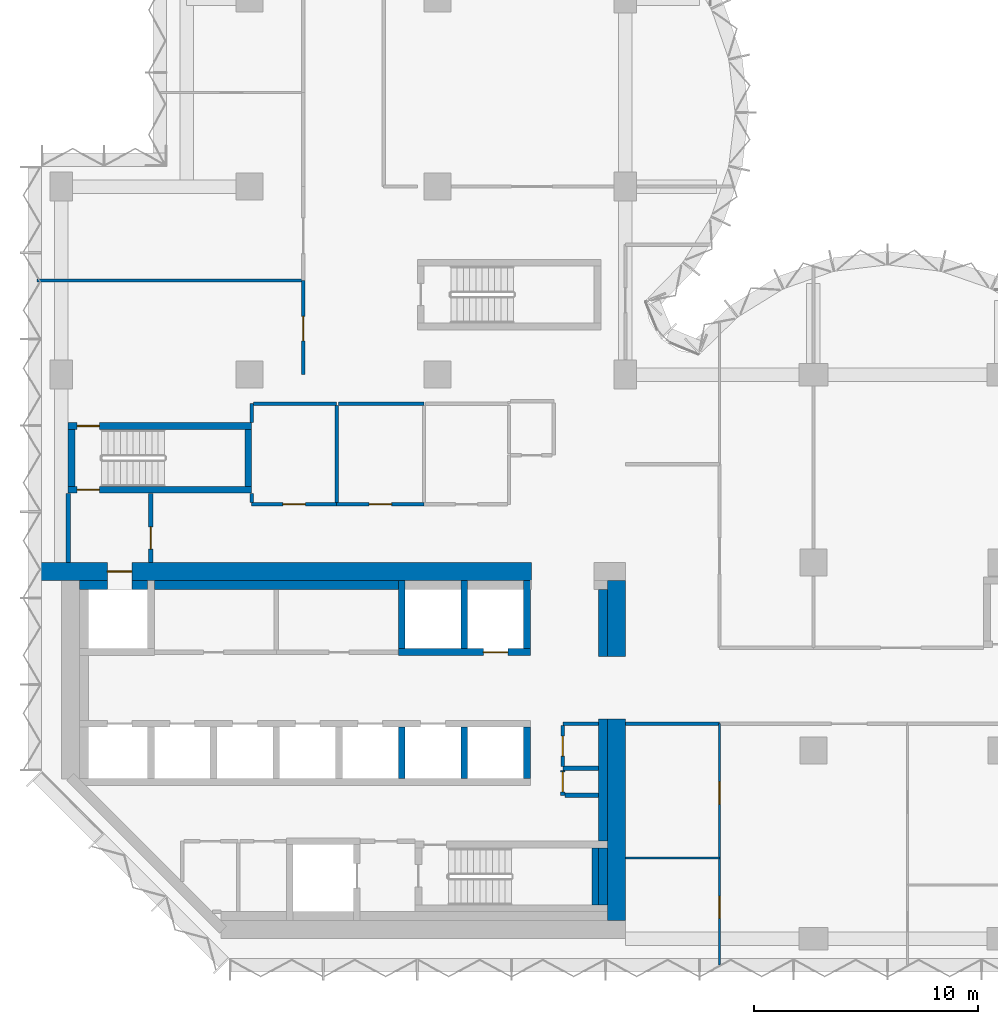
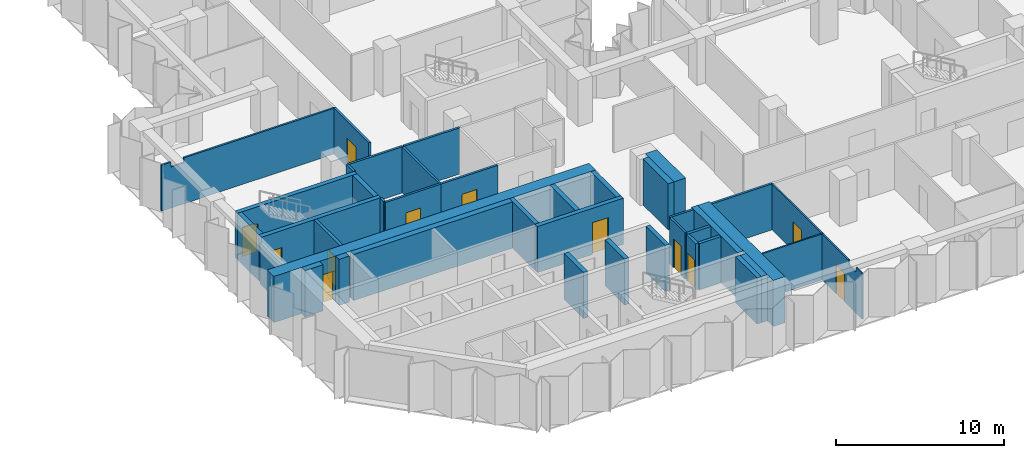
# One storey, part 6 of 11: 41 walls, 12 doors, 12 openings.
"""IFC4 building model written with IfcOpenShell, lengths in metres."""

from ifc_helpers import new_model, si_unit, direction, frame, frame_2d, origin, place, context, subcontext, project, spatial, polyline, rectangle, outline, extrude, material, layer, layer_set, type_object, element, fill, save


model = new_model("IFC4")

# Units and contexts
model_context = context("Model", 3, precision=1e-05, world=origin(), true_north=direction((0.0, 1.0)))
body_context = subcontext(model_context, "Body", "Model", "MODEL_VIEW")
ifc_project = project(units=[si_unit("LENGTHUNIT", "METRE"), si_unit("AREAUNIT", "SQUARE_METRE"), si_unit("VOLUMEUNIT", "CUBIC_METRE"), si_unit("PLANEANGLEUNIT", "RADIAN"), si_unit("MASSUNIT", "GRAM", prefix="KILO")], contexts=[model_context])

# Site, building, storey
site_placement = place(None, origin())
site = spatial("IfcSite", under=ifc_project, at=site_placement, CompositionType="ELEMENT")
building_placement = place(site_placement, origin())
building = spatial("IfcBuilding", under=site, at=building_placement, Name="Brevane Broadcast Tower", CompositionType="ELEMENT")
storey_placement = place(building_placement, frame((0.0, 0.0, 142.10009765625)))
storey = spatial("IfcBuildingStorey", under=building, at=storey_placement, Name="L35", CompositionType="ELEMENT", Elevation=142.10009765625)

# Walls
ifc_material_1 = material(Name="Concrete C32/40", Category="concrete")
ifc_layer_1 = layer(ifc_material_1, 0.39990234375)
ifc_layer_set_1 = layer_set([ifc_layer_1], Name="Core chase wall 400 mm")
wall_type_1 = type_object("IfcWallType", Name="Core chase wall 400 mm", PredefinedType="PARTITIONING", material=ifc_layer_set_1)
wall_1_placement = place(storey_placement, frame((24.199951171875, 12.60009765625, 0.0), z_axis=(0.0, 0.0, 1.0), x_axis=(0.0, 1.0, 0.0)))
element("IfcWall", 1, at=wall_1_placement, inside=storey, type_object=wall_type_1, Name="L35 chase wall LE2", PredefinedType="PARTITIONING", context=body_context, shape_type="SweptSolid", body=[
    extrude(rectangle(XDim=3.0, YDim=0.39990234375, at=frame_2d((1.5, 0.0))), origin(), (0.0, 0.0, 1.0), 3.349853515625),
])
wall_2_placement = place(storey_placement, frame((0.800048828125, 15.800048828125, 0.0), z_axis=(0.0, 0.0, 1.0), x_axis=(1.0, 0.0, 0.0)))
element("IfcWall", 2, at=wall_2_placement, inside=storey, type_object=wall_type_1, Name="L35 chase wall LN0", PredefinedType="PARTITIONING", context=body_context, shape_type="SweptSolid", body=[
    extrude(rectangle(XDim=1.25, YDim=0.39990234375, at=frame_2d((0.625, 0.0))), origin(), (0.0, 0.0, 1.0), 3.349853515625),
])
wall_3_placement = place(storey_placement, frame((3.14990234375, 15.800048828125, 0.0), z_axis=(0.0, 0.0, 1.0), x_axis=(1.0, 0.0, 0.0)))
element("IfcWall", 3, at=wall_3_placement, inside=storey, type_object=wall_type_1, Name="L35 chase wall LN1-1", PredefinedType="PARTITIONING", context=body_context, shape_type="SweptSolid", body=[
    extrude(rectangle(XDim=0.7001953125, YDim=0.39990234375, at=frame_2d((0.35009765625, 0.0))), origin(), (0.0, 0.0, 1.0), 3.349853515625),
])
wall_4_placement = place(storey_placement, frame((4.14990234375, 15.800048828125, 0.0), z_axis=(0.0, 0.0, 1.0), x_axis=(1.0, 0.0, 0.0)))
element("IfcWall", 4, at=wall_4_placement, inside=storey, type_object=wall_type_1, Name="L35 chase wall LN1-2-1", PredefinedType="PARTITIONING", context=body_context, shape_type="SweptSolid", body=[
    extrude(rectangle(XDim=10.900146484375, YDim=0.39990234375, at=frame_2d((5.4501953125, 0.0))), origin(), (0.0, 0.0, 1.0), 3.349853515625),
])
wall_5_placement = place(storey_placement, frame((24.199951171875, 1.5, 0.0), z_axis=(0.0, 0.0, 1.0), x_axis=(0.0, 1.0, 0.0)))
element("IfcWall", 5, at=wall_5_placement, inside=storey, type_object=wall_type_1, Name="L35 chase wall LE1-2-1", PredefinedType="PARTITIONING", context=body_context, shape_type="SweptSolid", body=[
    extrude(rectangle(XDim=2.550048828125, YDim=0.39990234375, at=frame_2d((1.27490234375, 0.0))), origin(), (0.0, 0.0, 1.0), 3.349853515625),
])
wall_6_placement = place(storey_placement, frame((24.199951171875, 4.35009765625, 0.0), z_axis=(0.0, 0.0, 1.0), x_axis=(0.0, 1.0, 0.0)))
element("IfcWall", 6, at=wall_6_placement, inside=storey, type_object=wall_type_1, Name="L35 chase wall LE1-2-2", PredefinedType="PARTITIONING", context=body_context, shape_type="SweptSolid", body=[
    extrude(rectangle(XDim=5.449951171875, YDim=0.39990234375, at=frame_2d((2.72509765625, 0.0))), origin(), (0.0, 0.0, 1.0), 3.349853515625),
])

# Wall, opening, door
ifc_material_2 = material(Name="Gypsum board on steel studs", Category="steel")
ifc_layer_2 = layer(ifc_material_2, 0.14990234375)
ifc_layer_set_2 = layer_set([ifc_layer_2], Name="Core fire partition 150 mm")
wall_type_2 = type_object("IfcWallType", Name="Core fire partition 150 mm", PredefinedType="PARTITIONING", material=ifc_layer_set_2)
wall_7_placement = place(storey_placement, frame((12.300048828125, 19.39990234375, 0.0), z_axis=(0.0, 0.0, 1.0), x_axis=(-1.0, 0.0, 0.0)))
wall_7 = element("IfcWall", 7, at=wall_7_placement, inside=storey, type_object=wall_type_2, Name="L35 partition wall P15", PredefinedType="PARTITIONING", context=body_context, shape_type="SweptSolid", body=[
    extrude(rectangle(XDim=3.800048828125, YDim=0.14990234375, at=frame_2d((1.89990234375, 0.0))), origin(), (0.0, 0.0, 1.0), 3.349853515625),
])
opening_1_placement = place(wall_7_placement, frame((1.39990234375, 0.0, 0.0)))
opening_1 = element("IfcOpeningElement", 8, at=opening_1_placement, cuts=wall_7, Name="Opening L35-K25", PredefinedType="OPENING", context=body_context, shape_type="SweptSolid", body=[
    extrude(rectangle(XDim=1.0, YDim=2.10009765625, at=frame_2d((0.5, 1.050048828125))), frame((0.0, 0.0849609375, 0.0), z_axis=(0.0, -1.0, 0.0), x_axis=(1.0, 0.0, 0.0)), (0.0, 0.0, 1.0), 0.169921875),
])
ifc_material_3 = material(Name="Steel", Category="steel")
door_type_1 = type_object("IfcDoorType", Name="Service room door 1000 x 2100", OperationType="SINGLE_SWING_LEFT", PredefinedType="DOOR", material=ifc_material_3)
door_1_placement = place(opening_1_placement, origin())
door_1 = element("IfcDoor", 9, at=door_1_placement, inside=storey, type_object=door_type_1, Name="Door L35-K25", OperationType="SINGLE_SWING_LEFT", OverallHeight=2.10009765625, OverallWidth=1.0, PredefinedType="DOOR", context=body_context, shape_type="SweptSolid", body=[
    extrude(rectangle(XDim=1.0, YDim=2.10009765625, at=frame_2d((0.5, 1.050048828125))), frame((0.0, 0.02490234375, 0.0), z_axis=(0.0, -1.0, 0.0), x_axis=(1.0, 0.0, 0.0)), (0.0, 0.0, 1.0), 0.050048828125),
])
fill(opening_1, door_1)

# Walls
wall_8_placement = place(storey_placement, frame((8.5, 19.47509765625, 0.0), z_axis=(0.0, 0.0, 1.0), x_axis=(0.0, 1.0, 0.0)))
element("IfcWall", 10, at=wall_8_placement, inside=storey, type_object=wall_type_2, Name="L35 partition wall P16", PredefinedType="PARTITIONING", context=body_context, shape_type="SweptSolid", body=[
    extrude(rectangle(XDim=0.412841796875, YDim=0.14990234375, at=frame_2d((0.20654296875, 0.0))), origin(), (0.0, 0.0, 1.0), 3.349853515625),
])
wall_9_placement = place(storey_placement, frame((8.5, 23.06201171875, 0.0), z_axis=(0.0, 0.0, 1.0), x_axis=(0.0, 1.0, 0.0)))
element("IfcWall", 11, at=wall_9_placement, inside=storey, type_object=wall_type_2, Name="L35 partition wall P17", PredefinedType="PARTITIONING", context=body_context, shape_type="SweptSolid", body=[
    extrude(rectangle(XDim=0.837890625, YDim=0.14990234375, at=frame_2d((0.4189453125, 0.0))), origin(), (0.0, 0.0, 1.0), 3.349853515625),
])
wall_10_placement = place(storey_placement, frame((8.574951171875, 23.89990234375, 0.0), z_axis=(0.0, 0.0, 1.0), x_axis=(1.0, 0.0, 0.0)))
element("IfcWall", 12, at=wall_10_placement, inside=storey, type_object=wall_type_2, Name="L35 partition wall P18", PredefinedType="PARTITIONING", context=body_context, shape_type="SweptSolid", body=[
    extrude(rectangle(XDim=3.72509765625, YDim=0.14990234375, at=frame_2d((1.862548828125, 0.0))), origin(), (0.0, 0.0, 1.0), 3.349853515625),
])

# Wall, opening, door
wall_11_placement = place(storey_placement, frame((16.199951171875, 19.39990234375, 0.0), z_axis=(0.0, 0.0, 1.0), x_axis=(-1.0, 0.0, 0.0)))
wall_11 = element("IfcWall", 13, at=wall_11_placement, inside=storey, type_object=wall_type_2, Name="L35 partition wall P19", PredefinedType="PARTITIONING", context=body_context, shape_type="SweptSolid", body=[
    extrude(rectangle(XDim=3.89990234375, YDim=0.14990234375, at=frame_2d((1.949951171875, 0.0))), origin(), (0.0, 0.0, 1.0), 3.349853515625),
])
opening_2_placement = place(wall_11_placement, frame((1.449951171875, 0.0, 0.0)))
opening_2 = element("IfcOpeningElement", 14, at=opening_2_placement, cuts=wall_11, Name="Opening L35-K26", PredefinedType="OPENING", context=body_context, shape_type="SweptSolid", body=[
    extrude(rectangle(XDim=1.0, YDim=2.10009765625, at=frame_2d((0.5, 1.050048828125))), frame((0.0, 0.0849609375, 0.0), z_axis=(0.0, -1.0, 0.0), x_axis=(1.0, 0.0, 0.0)), (0.0, 0.0, 1.0), 0.169921875),
])
door_2_placement = place(opening_2_placement, origin())
door_2 = element("IfcDoor", 15, at=door_2_placement, inside=storey, type_object=door_type_1, Name="Door L35-K26", OperationType="SINGLE_SWING_RIGHT", OverallHeight=2.10009765625, OverallWidth=1.0, PredefinedType="DOOR", context=body_context, shape_type="SweptSolid", body=[
    extrude(rectangle(XDim=1.0, YDim=2.10009765625, at=frame_2d((0.5, 1.050048828125))), frame((0.0, 0.02490234375, 0.0), z_axis=(0.0, -1.0, 0.0), x_axis=(1.0, 0.0, 0.0)), (0.0, 0.0, 1.0), 0.050048828125),
])
fill(opening_2, door_2)

# Walls
wall_12_placement = place(storey_placement, frame((12.300048828125, 23.824951171875, 0.0), z_axis=(0.0, 0.0, 1.0), x_axis=(0.0, -1.0, 0.0)))
element("IfcWall", 16, at=wall_12_placement, inside=storey, type_object=wall_type_2, Name="L35 partition wall P20", PredefinedType="PARTITIONING", context=body_context, shape_type="SweptSolid", body=[
    extrude(rectangle(XDim=4.349853515625, YDim=0.14990234375, at=frame_2d((2.1748046875, 0.0))), origin(), (0.0, 0.0, 1.0), 3.349853515625),
])
wall_13_placement = place(storey_placement, frame((12.375, 23.89990234375, 0.0), z_axis=(0.0, 0.0, 1.0), x_axis=(1.0, 0.0, 0.0)))
element("IfcWall", 17, at=wall_13_placement, inside=storey, type_object=wall_type_2, Name="L35 partition wall P21", PredefinedType="PARTITIONING", context=body_context, shape_type="SweptSolid", body=[
    extrude(rectangle(XDim=3.824951171875, YDim=0.14990234375, at=frame_2d((1.91259765625, 0.0))), origin(), (0.0, 0.0, 1.0), 3.349853515625),
])
wall_14_placement = place(storey_placement, frame((23.988037109375, 9.60009765625, 0.0), z_axis=(0.0, 0.0, 1.0), x_axis=(-1.0, 0.0, 0.0)))
element("IfcWall", 18, at=wall_14_placement, inside=storey, type_object=wall_type_2, Name="L35 partition wall P31", PredefinedType="PARTITIONING", context=body_context, shape_type="SweptSolid", body=[
    extrude(rectangle(XDim=1.588134765625, YDim=0.14990234375, at=frame_2d((0.7939453125, 0.0))), origin(), (0.0, 0.0, 1.0), 3.349853515625),
])

# Wall, opening, door
wall_15_placement = place(storey_placement, frame((22.39990234375, 9.52490234375, 0.0), z_axis=(0.0, 0.0, 1.0), x_axis=(0.0, -1.0, 0.0)))
wall_15 = element("IfcWall", 19, at=wall_15_placement, inside=storey, type_object=wall_type_2, Name="L35 partition wall P32", PredefinedType="PARTITIONING", context=body_context, shape_type="SweptSolid", body=[
    extrude(rectangle(XDim=1.824951171875, YDim=0.14990234375, at=frame_2d((0.91259765625, 0.0))), origin(), (0.0, 0.0, 1.0), 3.349853515625),
])
opening_3_placement = place(wall_15_placement, frame((0.47509765625, 0.0, 0.0)))
opening_3 = element("IfcOpeningElement", 20, at=opening_3_placement, cuts=wall_15, Name="Opening L35-K20", PredefinedType="OPENING", context=body_context, shape_type="SweptSolid", body=[
    extrude(rectangle(XDim=0.89990234375, YDim=2.10009765625, at=frame_2d((0.449951171875, 1.050048828125))), frame((0.0, 0.0849609375, 0.0), z_axis=(0.0, -1.0, 0.0), x_axis=(1.0, 0.0, 0.0)), (0.0, 0.0, 1.0), 0.169921875),
])
door_type_2 = type_object("IfcDoorType", Name="Service room door 900 x 2100", OperationType="SINGLE_SWING_LEFT", PredefinedType="DOOR", material=ifc_material_3)
door_3_placement = place(opening_3_placement, origin())
door_3 = element("IfcDoor", 21, at=door_3_placement, inside=storey, type_object=door_type_2, Name="Door L35-K20", OperationType="SINGLE_SWING_RIGHT", OverallHeight=2.10009765625, OverallWidth=0.89990234375, PredefinedType="DOOR", context=body_context, shape_type="SweptSolid", body=[
    extrude(rectangle(XDim=0.89990234375, YDim=2.10009765625, at=frame_2d((0.449951171875, 1.050048828125))), frame((0.0, 0.02490234375, 0.0), z_axis=(0.0, -1.0, 0.0), x_axis=(1.0, 0.0, 0.0)), (0.0, 0.0, 1.0), 0.050048828125),
])
fill(opening_3, door_3)

# Wall
ifc_layer_3 = layer(ifc_material_2, 0.199951171875)
ifc_layer_set_3 = layer_set([ifc_layer_3], Name="Core fire partition 200 mm")
wall_type_3 = type_object("IfcWallType", Name="Core fire partition 200 mm", PredefinedType="PARTITIONING", material=ifc_layer_set_3)
wall_16_placement = place(storey_placement, frame((0.300048828125, 16.81201171875, 0.0), z_axis=(0.0, 0.0, 1.0), x_axis=(0.0, 1.0, 0.0)))
element("IfcWall", 22, at=wall_16_placement, inside=storey, type_object=wall_type_3, Name="L35 partition wall P01", PredefinedType="PARTITIONING", context=body_context, shape_type="SweptSolid", body=[
    extrude(rectangle(XDim=3.075927734375, YDim=0.199951171875, at=frame_2d((1.5380859375, 0.0))), origin(), (0.0, 0.0, 1.0), 2.97998046875),
])

# Wall, opening, door
wall_17_placement = place(storey_placement, frame((4.0, 19.887939453125, 0.0), z_axis=(0.0, 0.0, 1.0), x_axis=(0.0, -1.0, 0.0)))
wall_17 = element("IfcWall", 23, at=wall_17_placement, inside=storey, type_object=wall_type_3, Name="L35 partition wall P02", PredefinedType="PARTITIONING", context=body_context, shape_type="SweptSolid", body=[
    extrude(rectangle(XDim=3.075927734375, YDim=0.199951171875, at=frame_2d((1.5380859375, 0.0))), origin(), (0.0, 0.0, 1.0), 3.349853515625),
])
opening_4_placement = place(wall_17_placement, frame((1.488037109375, 0.0, 0.0)))
opening_4 = element("IfcOpeningElement", 24, at=opening_4_placement, cuts=wall_17, Name="Opening L35-K23", PredefinedType="OPENING", context=body_context, shape_type="SweptSolid", body=[
    extrude(rectangle(XDim=1.0, YDim=2.10009765625, at=frame_2d((0.5, 1.050048828125))), frame((0.0, 0.10986328125, 0.0), z_axis=(0.0, -1.0, 0.0), x_axis=(1.0, 0.0, 0.0)), (0.0, 0.0, 1.0), 0.219970703125),
])
door_type_3 = type_object("IfcDoorType", Name="Stair door 1000 x 2100", OperationType="SINGLE_SWING_LEFT", PredefinedType="DOOR", material=ifc_material_3)
door_4_placement = place(opening_4_placement, origin())
door_4 = element("IfcDoor", 25, at=door_4_placement, inside=storey, type_object=door_type_3, Name="Door L35-K23", OperationType="SINGLE_SWING_LEFT", OverallHeight=2.10009765625, OverallWidth=1.0, PredefinedType="DOOR", context=body_context, shape_type="SweptSolid", body=[
    extrude(rectangle(XDim=1.0, YDim=2.10009765625, at=frame_2d((0.5, 1.050048828125))), frame((0.0, 0.02490234375, 0.0), z_axis=(0.0, -1.0, 0.0), x_axis=(1.0, 0.0, 0.0)), (0.0, 0.0, 1.0), 0.050048828125),
])
fill(opening_4, door_4)

# Wall
wall_18_placement = place(storey_placement, frame((23.988037109375, 7.60009765625, 0.0), z_axis=(0.0, 0.0, 1.0), x_axis=(-1.0, 0.0, 0.0)))
element("IfcWall", 26, at=wall_18_placement, inside=storey, type_object=wall_type_3, Name="L35 partition wall P07", PredefinedType="PARTITIONING", context=body_context, shape_type="SweptSolid", body=[
    extrude(rectangle(XDim=1.588134765625, YDim=0.199951171875, at=frame_2d((0.7939453125, 0.0))), origin(), (0.0, 0.0, 1.0), 3.349853515625),
])

# Wall, opening, door
wall_19_placement = place(storey_placement, frame((22.39990234375, 7.5, 0.0), z_axis=(0.0, 0.0, 1.0), x_axis=(0.0, -1.0, 0.0)))
wall_19 = element("IfcWall", 27, at=wall_19_placement, inside=storey, type_object=wall_type_3, Name="L35 partition wall P08", PredefinedType="PARTITIONING", context=body_context, shape_type="SweptSolid", body=[
    extrude(rectangle(XDim=1.10009765625, YDim=0.199951171875, at=frame_2d((0.550048828125, 0.0))), origin(), (0.0, 0.0, 1.0), 3.349853515625),
])
opening_5_placement = place(wall_19_placement, frame((0.050048828125, 0.0, 0.0)))
opening_5 = element("IfcOpeningElement", 28, at=opening_5_placement, cuts=wall_19, Name="Opening L35-K19", PredefinedType="OPENING", context=body_context, shape_type="SweptSolid", body=[
    extrude(rectangle(XDim=0.89990234375, YDim=2.10009765625, at=frame_2d((0.449951171875, 1.050048828125))), frame((0.0, 0.10986328125, 0.0), z_axis=(0.0, -1.0, 0.0), x_axis=(1.0, 0.0, 0.0)), (0.0, 0.0, 1.0), 0.219970703125),
])
door_5_placement = place(opening_5_placement, origin())
door_5 = element("IfcDoor", 29, at=door_5_placement, inside=storey, type_object=door_type_2, Name="Door L35-K19", OperationType="SINGLE_SWING_LEFT", OverallHeight=2.10009765625, OverallWidth=0.89990234375, PredefinedType="DOOR", context=body_context, shape_type="SweptSolid", body=[
    extrude(rectangle(XDim=0.89990234375, YDim=2.10009765625, at=frame_2d((0.449951171875, 1.050048828125))), frame((0.0, 0.02490234375, 0.0), z_axis=(0.0, -1.0, 0.0), x_axis=(1.0, 0.0, 0.0)), (0.0, 0.0, 1.0), 0.050048828125),
])
fill(opening_5, door_5)

# Walls
wall_20_placement = place(storey_placement, frame((22.5, 6.39990234375, 0.0), z_axis=(0.0, 0.0, 1.0), x_axis=(1.0, 0.0, 0.0)))
element("IfcWall", 30, at=wall_20_placement, inside=storey, type_object=wall_type_3, Name="L35 partition wall P09", PredefinedType="PARTITIONING", context=body_context, shape_type="SweptSolid", body=[
    extrude(rectangle(XDim=1.488037109375, YDim=0.199951171875, at=frame_2d((0.744140625, 0.0))), origin(), (0.0, 0.0, 1.0), 3.349853515625),
])
ifc_material_4 = material(Name="Concrete C60/75", Category="concrete")
ifc_layer_4 = layer(ifc_material_4, 0.300048828125)
ifc_layer_set_4 = layer_set([ifc_layer_4], Name="Core wall 300 mm C60/75")
wall_type_4 = type_object("IfcWallType", Name="Core wall 300 mm C60/75", PredefinedType="SHEAR", material=ifc_layer_set_4)
for number, where, z_axis, x_axis, name in (
    (31, (15.199951171875, 7.14990234375, 0.0), (0.0, 0.0, 1.0), (0.0, 1.0, 0.0), "L35 shaft wall SH-S-P152"),
    (32, (18.0, 7.14990234375, 0.0), (0.0, 0.0, 1.0), (0.0, 1.0, 0.0), "L35 shaft wall SH-S-P180"),
    (33, (20.800048828125, 7.14990234375, 0.0), (0.0, 0.0, 1.0), (0.0, 1.0, 0.0), "L35 shaft wall SH-S-P208"),
):
    element("IfcWall", number, at=place(storey_placement, frame(where, z_axis=z_axis, x_axis=x_axis)), inside=storey, type_object=wall_type_4, Name=name, PredefinedType="SHEAR", context=body_context, shape_type="SweptSolid", body=[
        extrude(rectangle(XDim=2.300048828125, YDim=0.300048828125, at=frame_2d((1.14990234375, 0.0))), origin(), (0.0, 0.0, 1.0), 3.349853515625),
    ])

# Wall, opening, door
wall_21_placement = place(storey_placement, frame((15.050048828125, 12.800048828125, 0.0), z_axis=(0.0, 0.0, 1.0), x_axis=(1.0, 0.0, 0.0)))
wall_21 = element("IfcWall", 34, at=wall_21_placement, inside=storey, type_object=wall_type_4, Name="L35 shaft wall SH-N152-front", PredefinedType="SHEAR", context=body_context, shape_type="SweptSolid", body=[
    extrude(rectangle(XDim=5.89990234375, YDim=0.300048828125, at=frame_2d((2.949951171875, 0.0))), origin(), (0.0, 0.0, 1.0), 3.349853515625),
])
opening_6_placement = place(wall_21_placement, frame((3.800048828125, 0.0, 0.0)))
opening_6 = element("IfcOpeningElement", 35, at=opening_6_placement, cuts=wall_21, Name="Opening LD", PredefinedType="OPENING", context=body_context, shape_type="SweptSolid", body=[
    extrude(rectangle(XDim=1.10009765625, YDim=2.300048828125, at=frame_2d((0.550048828125, 1.14990234375))), frame((0.0, 0.159912109375, 0.0), z_axis=(0.0, -1.0, 0.0), x_axis=(1.0, 0.0, 0.0)), (0.0, 0.0, 1.0), 0.320068359375),
])
ifc_material_5 = material(Name="Stainless steel", Category="steel")
door_type_4 = type_object("IfcDoorType", Name="Lift landing door", OperationType="SLIDING_TO_LEFT", PredefinedType="DOOR", material=ifc_material_5)
door_6_placement = place(opening_6_placement, origin())
door_6 = element("IfcDoor", 36, at=door_6_placement, inside=storey, type_object=door_type_4, Name="Landing door SL1 L35", OperationType="SLIDING_TO_LEFT", OverallHeight=2.300048828125, OverallWidth=1.10009765625, PredefinedType="DOOR", context=body_context, shape_type="SweptSolid", body=[
    extrude(rectangle(XDim=1.10009765625, YDim=2.300048828125, at=frame_2d((0.550048828125, 1.14990234375))), frame((0.0, 0.02490234375, 0.0), z_axis=(0.0, -1.0, 0.0), x_axis=(1.0, 0.0, 0.0)), (0.0, 0.0, 1.0), 0.050048828125),
])
fill(opening_6, door_6)

# Walls
for number, where, z_axis, x_axis, name in (
    (37, (15.199951171875, 12.949951171875, 0.0), (0.0, 0.0, 1.0), (0.0, 1.0, 0.0), "L35 shaft wall SH-N-P152"),
    (38, (18.0, 12.949951171875, 0.0), (0.0, 0.0, 1.0), (0.0, 1.0, 0.0), "L35 shaft wall SH-N-P180"),
    (39, (20.800048828125, 12.949951171875, 0.0), (0.0, 0.0, 1.0), (0.0, 1.0, 0.0), "L35 shaft wall SH-N-P208"),
):
    element("IfcWall", number, at=place(storey_placement, frame(where, z_axis=z_axis, x_axis=x_axis)), inside=storey, type_object=wall_type_4, Name=name, PredefinedType="SHEAR", context=body_context, shape_type="SweptSolid", body=[
        extrude(rectangle(XDim=3.050048828125, YDim=0.300048828125, at=frame_2d((1.52490234375, 0.0))), origin(), (0.0, 0.0, 1.0), 3.349853515625),
    ])

# Wall, opening, door
wall_22_placement = place(storey_placement, frame((8.5, 20.050048828125, 0.0), z_axis=(0.0, 0.0, 1.0), x_axis=(-1.0, 0.0, 0.0)))
wall_22 = element("IfcWall", 40, at=wall_22_placement, inside=storey, type_object=wall_type_4, Name="L35 stair wall ST-1-S", PredefinedType="SHEAR", context=body_context, shape_type="SweptSolid", body=[
    extrude(rectangle(XDim=8.199951171875, YDim=0.300048828125, at=frame_2d((4.10009765625, 0.0))), origin(), (0.0, 0.0, 1.0), 3.349853515625),
])
opening_7_placement = place(wall_22_placement, frame((6.800048828125, 0.0, 0.0)))
opening_7 = element("IfcOpeningElement", 41, at=opening_7_placement, cuts=wall_22, Name="Opening L35-K10", PredefinedType="OPENING", context=body_context, shape_type="SweptSolid", body=[
    extrude(rectangle(XDim=1.0, YDim=2.10009765625, at=frame_2d((0.5, 1.050048828125))), frame((0.0, 0.159912109375, 0.0), z_axis=(0.0, -1.0, 0.0), x_axis=(1.0, 0.0, 0.0)), (0.0, 0.0, 1.0), 0.320068359375),
])
door_7_placement = place(opening_7_placement, origin())
door_7 = element("IfcDoor", 42, at=door_7_placement, inside=storey, type_object=door_type_3, Name="Door L35-K10", OperationType="SINGLE_SWING_RIGHT", OverallHeight=2.10009765625, OverallWidth=1.0, PredefinedType="DOOR", context=body_context, shape_type="SweptSolid", body=[
    extrude(rectangle(XDim=1.0, YDim=2.10009765625, at=frame_2d((0.5, 1.050048828125))), frame((0.0, 0.02490234375, 0.0), z_axis=(0.0, -1.0, 0.0), x_axis=(1.0, 0.0, 0.0)), (0.0, 0.0, 1.0), 0.050048828125),
])
fill(opening_7, door_7)

wall_23_placement = place(storey_placement, frame((0.300048828125, 22.89990234375, 0.0), z_axis=(0.0, 0.0, 1.0), x_axis=(1.0, 0.0, 0.0)))
wall_23 = element("IfcWall", 43, at=wall_23_placement, inside=storey, type_object=wall_type_4, Name="L35 stair wall ST-1-N", PredefinedType="SHEAR", context=body_context, shape_type="SweptSolid", body=[
    extrude(rectangle(XDim=8.199951171875, YDim=0.300048828125, at=frame_2d((4.10009765625, 0.0))), origin(), (0.0, 0.0, 1.0), 3.349853515625),
])
opening_8_placement = place(wall_23_placement, frame((0.39990234375, 0.0, 0.0)))
opening_8 = element("IfcOpeningElement", 44, at=opening_8_placement, cuts=wall_23, Name="Opening L35-K11", PredefinedType="OPENING", context=body_context, shape_type="SweptSolid", body=[
    extrude(rectangle(XDim=1.0, YDim=2.10009765625, at=frame_2d((0.5, 1.050048828125))), frame((0.0, 0.159912109375, 0.0), z_axis=(0.0, -1.0, 0.0), x_axis=(1.0, 0.0, 0.0)), (0.0, 0.0, 1.0), 0.320068359375),
])
door_8_placement = place(opening_8_placement, origin())
door_8 = element("IfcDoor", 45, at=door_8_placement, inside=storey, type_object=door_type_3, Name="Door L35-K11", OperationType="SINGLE_SWING_LEFT", OverallHeight=2.10009765625, OverallWidth=1.0, PredefinedType="DOOR", context=body_context, shape_type="SweptSolid", body=[
    extrude(rectangle(XDim=1.0, YDim=2.10009765625, at=frame_2d((0.5, 1.050048828125))), frame((0.0, 0.02490234375, 0.0), z_axis=(0.0, -1.0, 0.0), x_axis=(1.0, 0.0, 0.0)), (0.0, 0.0, 1.0), 0.050048828125),
])
fill(opening_8, door_8)

# Walls
for number, where, z_axis, x_axis, name in (
    (46, (0.449951171875, 20.199951171875, 0.0), (0.0, 0.0, 1.0), (0.0, 1.0, 0.0), "L35 stair wall ST-1-W"),
    (47, (8.35009765625, 20.199951171875, 0.0), (0.0, 0.0, 1.0), (0.0, 1.0, 0.0), "L35 stair wall ST-1-E"),
    (48, (23.85009765625, 1.5, 0.0), (0.0, 0.0, 1.0), (0.0, 1.0, 0.0), "L35 stair wall ST-2-E"),
):
    element("IfcWall", number, at=place(storey_placement, frame(where, z_axis=z_axis, x_axis=x_axis)), inside=storey, type_object=wall_type_4, Name=name, PredefinedType="SHEAR", context=body_context, shape_type="SweptSolid", body=[
        extrude(rectangle(XDim=2.550048828125, YDim=0.300048828125, at=frame_2d((1.27490234375, 0.0))), origin(), (0.0, 0.0, 1.0), 3.349853515625),
    ])

# Wall, opening, door
ifc_layer_5 = layer(ifc_material_4, 0.800048828125)
ifc_layer_set_5 = layer_set([ifc_layer_5], Name="Core wall 800 mm C60/75")
wall_type_5 = type_object("IfcWallType", Name="Core wall 800 mm C60/75", PredefinedType="SHEAR", material=ifc_layer_set_5)
wall_24_placement = place(storey_placement, frame((-1.10009765625, 16.39990234375, 0.0), z_axis=(0.0, 0.0, 1.0), x_axis=(1.0, 0.0, 0.0)))
wall_24 = element("IfcWall", 49, at=wall_24_placement, inside=storey, type_object=wall_type_5, Name="L35 outer wall WN1", PredefinedType="SHEAR", context=body_context, shape_type="SweptSolid", body=[
    extrude(rectangle(XDim=22.10009765625, YDim=0.800048828125, at=frame_2d((11.050048828125, 0.0))), origin(), (0.0, 0.0, 1.0), 3.349853515625),
])
opening_9_placement = place(wall_24_placement, frame((3.14990234375, 0.0, 0.0)))
opening_9 = element("IfcOpeningElement", 50, at=opening_9_placement, cuts=wall_24, Name="Opening LD", PredefinedType="OPENING", context=body_context, shape_type="SweptSolid", body=[
    extrude(rectangle(XDim=1.10009765625, YDim=2.300048828125, at=frame_2d((0.550048828125, 1.14990234375))), frame((0.0, 0.409912109375, 0.0), z_axis=(0.0, -1.0, 0.0), x_axis=(1.0, 0.0, 0.0)), (0.0, 0.0, 1.0), 0.820068359375),
])
door_9_placement = place(opening_9_placement, origin())
door_9 = element("IfcDoor", 51, at=door_9_placement, inside=storey, type_object=door_type_4, Name="Landing door FF1 L35", OperationType="SLIDING_TO_LEFT", OverallHeight=2.300048828125, OverallWidth=1.10009765625, PredefinedType="DOOR", context=body_context, shape_type="SweptSolid", body=[
    extrude(rectangle(XDim=1.10009765625, YDim=2.300048828125, at=frame_2d((0.550048828125, 1.14990234375))), frame((0.0, 0.02490234375, 0.0), z_axis=(0.0, -1.0, 0.0), x_axis=(1.0, 0.0, 0.0)), (0.0, 0.0, 1.0), 0.050048828125),
])
fill(opening_9, door_9)

# Walls
wall_25_placement = place(storey_placement, frame((24.800048828125, 0.800048828125, 0.0), z_axis=(0.0, 0.0, 1.0), x_axis=(0.0, 1.0, 0.0)))
element("IfcWall", 52, at=wall_25_placement, inside=storey, type_object=wall_type_5, Name="L35 outer wall WE1", PredefinedType="SHEAR", context=body_context, shape_type="SweptSolid", body=[
    extrude(rectangle(XDim=9.0, YDim=0.800048828125, at=frame_2d((4.5, 0.0))), origin(), (0.0, 0.0, 1.0), 3.349853515625),
])
wall_26_placement = place(storey_placement, frame((24.800048828125, 12.60009765625, 0.0), z_axis=(0.0, 0.0, 1.0), x_axis=(0.0, 1.0, 0.0)))
element("IfcWall", 53, at=wall_26_placement, inside=storey, type_object=wall_type_5, Name="L35 outer wall WE2", PredefinedType="SHEAR", context=body_context, shape_type="SweptSolid", body=[
    extrude(rectangle(XDim=3.39990234375, YDim=0.800048828125, at=frame_2d((1.699951171875, 0.0))), origin(), (0.0, 0.0, 1.0), 3.349853515625),
])

# Wall, opening, door
ifc_material_6 = material(Name="Gypsum board partition")
ifc_layer_6 = layer(ifc_material_6, 0.10009765625)
ifc_layer_set_6 = layer_set([ifc_layer_6], Name="PARTITION 100 STUD")
wall_type_6 = type_object("IfcWallType", Name="PARTITION 100 STUD", PredefinedType="PARTITIONING", material=ifc_layer_set_6)
wall_27_placement = place(storey_placement, frame((29.39990234375, -1.174072265625, 0.0), z_axis=(0.0, 0.0, 1.0), x_axis=(0.0, 1.0, 0.0)))
wall_27 = element("IfcWall", 54, at=wall_27_placement, inside=storey, type_object=wall_type_6, Name="Partition G10-023", PredefinedType="PARTITIONING", context=body_context, shape_type="SweptSolid", body=[
    extrude(outline(polyline([(0.0, 0.0), (4.774169921875, 0.0), (4.77392578125, 3.329833984375), (1.6240234375, 3.329833984375), (1.6220703125, 2.97998046875), (0.72607421875, 2.97998046875), (0.72412109375, 3.329833984375), (0.073974609375, 3.329833984375), (0.0, 3.329833984375), (0.0, 0.0)])), frame((0.0, 0.050048828125, 0.0), z_axis=(0.0, -1.0, 0.0), x_axis=(1.0, 0.0, 0.0)), (0.0, 0.0, 1.0), 0.10009765625),
])
opening_10_placement = place(wall_27_placement, frame((2.073974609375, 0.0, 0.0)))
opening_10 = element("IfcOpeningElement", 55, at=opening_10_placement, cuts=wall_27, Name="Opening D17-006", PredefinedType="OPENING", context=body_context, shape_type="SweptSolid", body=[
    extrude(rectangle(XDim=1.0, YDim=2.10009765625, at=frame_2d((0.5, 1.050048828125))), frame((0.0, 0.06005859375, 0.0), z_axis=(0.0, -1.0, 0.0), x_axis=(1.0, 0.0, 0.0)), (0.0, 0.0, 1.0), 0.1201171875),
])
ifc_material_7 = material(Name="Timber door leaf", Category="wood")
door_type_5 = type_object("IfcDoorType", Name="DOOR SINGLE 1000 INTERNAL", OperationType="SINGLE_SWING_LEFT", PredefinedType="DOOR", material=ifc_material_7)
door_10_placement = place(opening_10_placement, origin())
door_10 = element("IfcDoor", 56, at=door_10_placement, inside=storey, type_object=door_type_5, Name="Door D17-006", OperationType="SINGLE_SWING_LEFT", OverallHeight=2.10009765625, OverallWidth=1.0, PredefinedType="DOOR", context=body_context, shape_type="SweptSolid", body=[
    extrude(rectangle(XDim=1.0, YDim=2.10009765625, at=frame_2d((0.5, 1.050048828125))), frame((0.0, 0.02490234375, 0.0), z_axis=(0.0, -1.0, 0.0), x_axis=(1.0, 0.0, 0.0)), (0.0, 0.0, 1.0), 0.050048828125),
])
fill(opening_10, door_10)

wall_28_placement = place(storey_placement, frame((29.39990234375, 3.60009765625, 0.0), z_axis=(0.0, 0.0, 1.0), x_axis=(0.0, 1.0, 0.0)))
wall_28 = element("IfcWall", 57, at=wall_28_placement, inside=storey, type_object=wall_type_6, Name="Partition G10-024", PredefinedType="PARTITIONING", context=body_context, shape_type="SweptSolid", body=[
    extrude(rectangle(XDim=6.0, YDim=0.10009765625, at=frame_2d((3.0, 0.0))), origin(), (0.0, 0.0, 1.0), 3.329833984375),
])
opening_11_placement = place(wall_28_placement, frame((2.39990234375, 0.0, 0.0)))
opening_11 = element("IfcOpeningElement", 58, at=opening_11_placement, cuts=wall_28, Name="Opening D17-007", PredefinedType="OPENING", context=body_context, shape_type="SweptSolid", body=[
    extrude(rectangle(XDim=1.0, YDim=2.10009765625, at=frame_2d((0.5, 1.050048828125))), frame((0.0, 0.06005859375, 0.0), z_axis=(0.0, -1.0, 0.0), x_axis=(1.0, 0.0, 0.0)), (0.0, 0.0, 1.0), 0.1201171875),
])
door_11_placement = place(opening_11_placement, origin())
door_11 = element("IfcDoor", 59, at=door_11_placement, inside=storey, type_object=door_type_5, Name="Door D17-007", OperationType="SINGLE_SWING_LEFT", OverallHeight=2.10009765625, OverallWidth=1.0, PredefinedType="DOOR", context=body_context, shape_type="SweptSolid", body=[
    extrude(rectangle(XDim=1.0, YDim=2.10009765625, at=frame_2d((0.5, 1.050048828125))), frame((0.0, 0.02490234375, 0.0), z_axis=(0.0, -1.0, 0.0), x_axis=(1.0, 0.0, 0.0)), (0.0, 0.0, 1.0), 0.050048828125),
])
fill(opening_11, door_11)

# Walls
wall_29_placement = place(storey_placement, frame((25.199951171875, 3.60009765625, 0.0), z_axis=(0.0, 0.0, 1.0), x_axis=(1.0, 0.0, 0.0)))
element("IfcWall", 60, at=wall_29_placement, inside=storey, type_object=wall_type_6, Name="Partition G10-030", PredefinedType="PARTITIONING", context=body_context, shape_type="SweptSolid", body=[
    extrude(rectangle(XDim=4.199951171875, YDim=0.10009765625, at=frame_2d((2.10009765625, 0.0))), origin(), (0.0, 0.0, 1.0), 3.329833984375),
])
ifc_layer_7 = layer(ifc_material_6, 0.125)
ifc_layer_set_7 = layer_set([ifc_layer_7], Name="PARTITION 125 ACOUSTIC")
wall_type_7 = type_object("IfcWallType", Name="PARTITION 125 ACOUSTIC", PredefinedType="PARTITIONING", material=ifc_layer_set_7)
wall_30_placement = place(storey_placement, frame((-1.10009765625, 29.39990234375, 0.0), z_axis=(0.0, 0.0, 1.0), x_axis=(1.0, 0.0, 0.0)))
element("IfcWall", 61, at=wall_30_placement, inside=storey, type_object=wall_type_7, Name="Partition G10-055", PredefinedType="PARTITIONING", context=body_context, shape_type="SweptSolid", body=[
    extrude(outline(polyline([(0.0, 0.0), (11.900146484375, 0.0), (11.89990234375, 3.329833984375), (1.550048828125, 3.329833984375), (1.548095703125, 2.97998046875), (0.652099609375, 2.97998046875), (0.64990234375, 3.329833984375), (0.0, 3.329833984375), (0.0, 0.0)])), frame((0.0, 0.0625, 0.0), z_axis=(0.0, -1.0, 0.0), x_axis=(1.0, 0.0, 0.0)), (0.0, 0.0, 1.0), 0.125),
])
ifc_layer_8 = layer(ifc_material_6, 0.14990234375)
ifc_layer_set_8 = layer_set([ifc_layer_8], Name="PARTITION 150 EI 60")
wall_type_8 = type_object("IfcWallType", Name="PARTITION 150 EI 60", PredefinedType="PARTITIONING", material=ifc_layer_set_8)
wall_31_placement = place(storey_placement, frame((29.39990234375, 9.60009765625, 0.0), z_axis=(0.0, 0.0, 1.0), x_axis=(-1.0, 0.0, 0.0)))
element("IfcWall", 62, at=wall_31_placement, inside=storey, type_object=wall_type_8, Name="Partition G10-002", PredefinedType="PARTITIONING", context=body_context, shape_type="SweptSolid", body=[
    extrude(rectangle(XDim=4.199951171875, YDim=0.14990234375, at=frame_2d((2.10009765625, 0.0))), origin(), (0.0, 0.0, 1.0), 3.329833984375),
])

# Wall, opening, door
wall_32_placement = place(storey_placement, frame((10.800048828125, 25.199951171875, 0.0), z_axis=(0.0, 0.0, 1.0), x_axis=(0.0, 1.0, 0.0)))
wall_32 = element("IfcWall", 63, at=wall_32_placement, inside=storey, type_object=wall_type_8, Name="Partition G10-037", PredefinedType="PARTITIONING", context=body_context, shape_type="SweptSolid", body=[
    extrude(rectangle(XDim=4.199951171875, YDim=0.14990234375, at=frame_2d((2.10009765625, 0.0))), origin(), (0.0, 0.0, 1.0), 3.329833984375),
])
opening_12_placement = place(wall_32_placement, frame((1.5, 0.0, 0.0)))
opening_12 = element("IfcOpeningElement", 64, at=opening_12_placement, cuts=wall_32, Name="Opening D17-013", PredefinedType="OPENING", context=body_context, shape_type="SweptSolid", body=[
    extrude(rectangle(XDim=1.10009765625, YDim=2.10009765625, at=frame_2d((0.550048828125, 1.050048828125))), frame((0.0, 0.0849609375, 0.0), z_axis=(0.0, -1.0, 0.0), x_axis=(1.0, 0.0, 0.0)), (0.0, 0.0, 1.0), 0.169921875),
])
ifc_material_8 = material(Name="Fire-rated timber door leaf", Category="wood")
door_type_6 = type_object("IfcDoorType", Name="DOOR SINGLE 1100 FD30S", OperationType="SINGLE_SWING_LEFT", PredefinedType="DOOR", material=ifc_material_8)
door_12_placement = place(opening_12_placement, origin())
door_12 = element("IfcDoor", 65, at=door_12_placement, inside=storey, type_object=door_type_6, Name="Door D17-013", OperationType="SINGLE_SWING_LEFT", OverallHeight=2.10009765625, OverallWidth=1.10009765625, PredefinedType="DOOR", context=body_context, shape_type="SweptSolid", body=[
    extrude(rectangle(XDim=1.10009765625, YDim=2.10009765625, at=frame_2d((0.550048828125, 1.050048828125))), frame((0.0, 0.02490234375, 0.0), z_axis=(0.0, -1.0, 0.0), x_axis=(1.0, 0.0, 0.0)), (0.0, 0.0, 1.0), 0.050048828125),
])
fill(opening_12, door_12)

save(model, "model.ifc")
